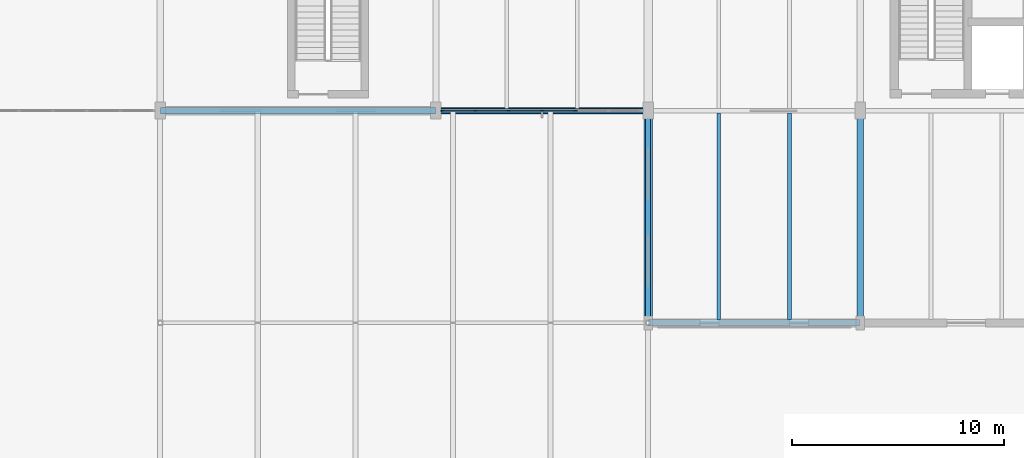
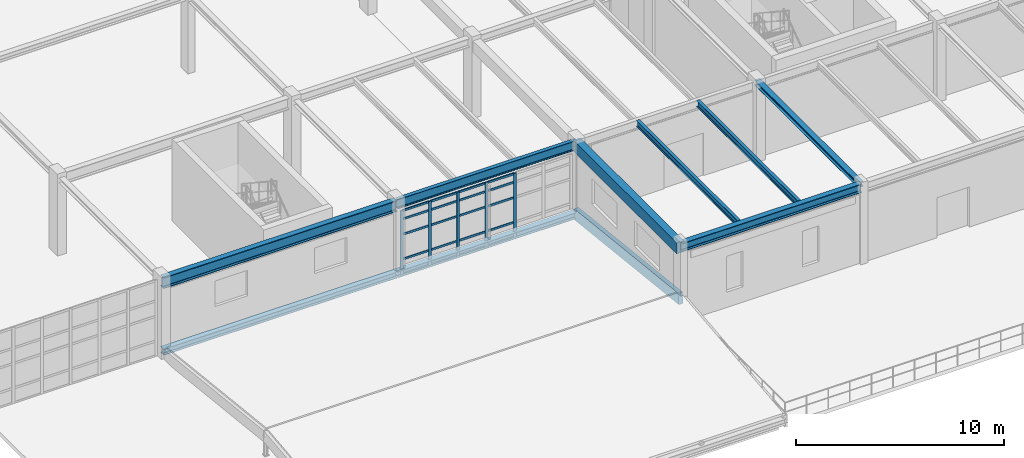
# One storey, part 62 of 139: 26 members, 9 beams, 1 element without a shape of its own.
"""IFC4 building model written with IfcOpenShell, lengths in metres."""

import ifcopenshell
import ifcopenshell.guid

model = None  # the IFC model being written
_history = None  # IfcOwnerHistory: only IFC2X3 demands one
_inside = {}  # id of a spatial element -> (the spatial element, [elements in it])
_under = {}  # id of a project, library or spatial element -> (it, [spatial elements below it])
_declared = {}  # id of a project -> (the project, [libraries it declares])
_typed = {}  # id of a type object -> (the type object, [elements of that type])
_made_of = {}  # id of a material, layer set ... -> (it, [elements and type objects made of it])


def new_model(schema):
    """Start an empty IFC model of exactly this schema.

    Asked for "IFC4X3", IfcOpenShell would pick the latest addendum, in which some entities
    have other attributes; the version numbers below select the first issue.
    IFC2X3 requires an IfcOwnerHistory on every rooted entity: one is made here for all.
    """
    global model, _history
    if schema == "IFC4X3":
        model = ifcopenshell.file(schema_version=(4, 3, 0, 0))
    else:
        model = ifcopenshell.file(schema=schema)
    _inside.clear()
    _under.clear()
    _declared.clear()
    _typed.clear()
    _made_of.clear()
    _history = None
    if model.schema == "IFC2X3":
        org = make("IfcOrganization", Name="unknown")
        user = make(
            "IfcPersonAndOrganization",
            ThePerson=make("IfcPerson", FamilyName="unknown"),
            TheOrganization=org,
        )
        app = make(
            "IfcApplication",
            ApplicationDeveloper=org,
            Version="unknown",
            ApplicationFullName="unknown",
            ApplicationIdentifier="unknown",
        )
        _history = make(
            "IfcOwnerHistory",
            OwningUser=user,
            OwningApplication=app,
            ChangeAction="ADDED",
            CreationDate=0,
        )
    return model


def make(cls, **values):
    """One entity of the class cls with the attributes given. An attribute that is None is left unset."""
    return model.create_entity(
        cls, **{name: value for name, value in values.items() if value is not None}
    )


def rooted(cls, **values):
    """An entity with a GlobalId (a new one), such as an element, a storey or a relation."""
    return make(cls, GlobalId=ifcopenshell.guid.new(), OwnerHistory=_history, **values)


def si_unit(unit_type, name, prefix=None):
    """IfcSIUnit, for example si_unit("LENGTHUNIT", "METRE", prefix="MILLI")."""
    return make("IfcSIUnit", UnitType=unit_type, Prefix=prefix, Name=name)


def assignment(units):
    """IfcUnitAssignment: the units of a project."""
    return None if units is None else make("IfcUnitAssignment", Units=units)


def point(xyz):
    """IfcCartesianPoint."""
    return None if xyz is None else make("IfcCartesianPoint", Coordinates=xyz)


def direction(xyz):
    """IfcDirection."""
    return None if xyz is None else make("IfcDirection", DirectionRatios=xyz)


def frame(location, z_axis=None, x_axis=None):
    """IfcAxis2Placement3D, a coordinate frame: its origin and axes. An axis left out is left unset."""
    return make(
        "IfcAxis2Placement3D",
        Location=point(location),
        Axis=direction(z_axis),
        RefDirection=direction(x_axis),
    )


def frame_2d(location, x_axis=None):
    """IfcAxis2Placement2D, a coordinate frame in the plane: its origin and x axis."""
    return make(
        "IfcAxis2Placement2D", Location=point(location), RefDirection=direction(x_axis)
    )


def origin():
    """The frame at (0, 0, 0) with its axes left unset."""
    return frame((0.0, 0.0, 0.0))


def origin_2d():
    """The frame at (0, 0) in the plane with its x axis left unset."""
    return frame_2d((0.0, 0.0))


def place(relative_to, where):
    """IfcLocalPlacement: puts the frame where relative to a parent placement (None: the world)."""
    return make(
        "IfcLocalPlacement", PlacementRelTo=relative_to, RelativePlacement=where
    )


def context(
    kind, dimensions, precision=None, world=None, true_north=None, identifier=None
):
    """IfcGeometricRepresentationContext, for example the 3D "Model" context."""
    return make(
        "IfcGeometricRepresentationContext",
        ContextIdentifier=identifier,
        ContextType=kind,
        CoordinateSpaceDimension=dimensions,
        Precision=precision,
        WorldCoordinateSystem=world,
        TrueNorth=true_north,
    )


def subcontext(parent, identifier, kind, view, scale=None):
    """IfcGeometricRepresentationSubContext, for example "Body" below "Model"."""
    return make(
        "IfcGeometricRepresentationSubContext",
        ContextIdentifier=identifier,
        ContextType=kind,
        ParentContext=parent,
        TargetScale=scale,
        TargetView=view,
    )


def project(units=None, contexts=None):
    """IfcProject with its units and contexts."""
    return rooted(
        "IfcProject",
        Name="project",
        RepresentationContexts=contexts,
        UnitsInContext=assignment(units),
    )


def spatial(cls, under=None, at=None, **own):
    """A site, building, storey or space (cls), placed at a placement, below another one or the project."""
    s = rooted(cls, ObjectPlacement=at, **own)
    if under is not None:
        _under.setdefault(under.id(), (under, []))[1].append(s)
    return s


def profile(cls, at=None, kind="AREA", **sizes):
    """A parametric profile (cls). Its sizes go by their IFC names, for example OverallWidth=200.0."""
    return make(cls, ProfileType=kind, Position=at, **sizes)


def rectangle(**sizes):
    """IfcRectangleProfileDef."""
    return profile("IfcRectangleProfileDef", **sizes)


def i_section(**sizes):
    """IfcIShapeProfileDef."""
    return profile("IfcIShapeProfileDef", **sizes)


def extrude(swept, where, along, depth):
    """IfcExtrudedAreaSolid: the profile swept, set in the frame where, extruded along a direction by depth."""
    return make(
        "IfcExtrudedAreaSolid",
        SweptArea=swept,
        Position=where,
        ExtrudedDirection=direction(along),
        Depth=depth,
    )


def shape(context_of_items, identifier, shape_type, items):
    """IfcShapeRepresentation: the items that make up one representation, for example the "Body"."""
    return make(
        "IfcShapeRepresentation",
        ContextOfItems=context_of_items,
        RepresentationIdentifier=identifier,
        RepresentationType=shape_type,
        Items=items,
    )


def material(Name=None, Category=None):
    """IfcMaterial."""
    return make("IfcMaterial", Name=Name, Category=Category)


def layer(
    of_material, thickness, ventilated=None, Name=None, Category=None, Priority=None
):
    """IfcMaterialLayer: one layer of a wall or slab, of a material (None: an air gap)."""
    return make(
        "IfcMaterialLayer",
        Material=of_material,
        LayerThickness=thickness,
        IsVentilated=ventilated,
        Name=Name,
        Category=Category,
        Priority=Priority,
    )


def layer_set(layers, Name=None):
    """IfcMaterialLayerSet."""
    return make("IfcMaterialLayerSet", MaterialLayers=layers, LayerSetName=Name)


def material_profile(
    of_material, cross_section, Name=None, Category=None, Priority=None
):
    """IfcMaterialProfile: a cross section and its material."""
    return make(
        "IfcMaterialProfile",
        Name=Name,
        Material=of_material,
        Profile=cross_section,
        Priority=Priority,
        Category=Category,
    )


def profile_set(profiles, Name=None, composite=None):
    """IfcMaterialProfileSet."""
    return make(
        "IfcMaterialProfileSet",
        Name=Name,
        MaterialProfiles=profiles,
        CompositeProfile=composite,
    )


def made_of(thing, what):
    """Note that an element or type object is made of a material, layer set ...; save() writes the relation."""
    if what is not None:
        _made_of.setdefault(what.id(), (what, []))[1].append(thing)
    return thing


def type_object(cls, material=None, **own):
    """A type object (cls), such as IfcWallType, which elements share."""
    return made_of(rooted(cls, **own), material)


def element(
    cls,
    number,
    at=None,
    inside=None,
    cuts=None,
    type_object=None,
    material=None,
    context=None,
    identifier="Body",
    shape_type=None,
    held_by="IfcProductDefinitionShape",
    body=None,
    shapes=None,
    **own,
):
    """One element of the class cls, such as IfcWall. Its Tag is "e" and its number.

    at: its placement. inside: the storey or other place that contains it. cuts: it is an
    opening in that element (IfcRelVoidsElement). A single representation is given by context,
    identifier, shape_type and body (its items); several are given by shapes. held_by: the class
    of the entity that holds the representations. save() writes the other relations.
    """
    e = rooted(cls, Tag="e%d" % number, ObjectPlacement=at, **own)
    if body is not None:
        shapes = [shape(context, identifier, shape_type, body)]
    if shapes is not None:
        e.Representation = make(held_by, Representations=shapes)
    if inside is not None:
        _inside.setdefault(inside.id(), (inside, []))[1].append(e)
    if cuts is not None:
        rooted(
            "IfcRelVoidsElement", RelatingBuildingElement=cuts, RelatedOpeningElement=e
        )
    if type_object is not None:
        _typed.setdefault(type_object.id(), (type_object, []))[1].append(e)
    return made_of(e, material)


def aggregate(whole, parts):
    """IfcRelAggregates: a whole, such as a stair, and the parts it consists of."""
    return rooted("IfcRelAggregates", RelatingObject=whole, RelatedObjects=parts)


def save(model, path):
    """Write the relations noted so far, then the file.

    IfcRelAggregates (storeys below a building ...), IfcRelContainedInSpatialStructure (elements
    in a storey), IfcRelDefinesByType, IfcRelAssociatesMaterial and IfcRelDeclares: one each for
    every whole, place, type object, material and project.
    """
    for whole, parts in _under.values():
        aggregate(whole, parts)
    for where, things in _inside.values():
        rooted(
            "IfcRelContainedInSpatialStructure",
            RelatedElements=things,
            RelatingStructure=where,
        )
    for kind, things in _typed.values():
        rooted("IfcRelDefinesByType", RelatedObjects=things, RelatingType=kind)
    for what, things in _made_of.values():
        rooted("IfcRelAssociatesMaterial", RelatedObjects=things, RelatingMaterial=what)
    for by, libraries in _declared.values():
        rooted("IfcRelDeclares", RelatingContext=by, RelatedDefinitions=libraries)
    model.write(path)


model = new_model("IFC4")

# Units and contexts
model_context = context("Model", 3, precision=1e-05, world=origin(), true_north=direction((0.0, 1.0)))
body_context = subcontext(model_context, "Body", "Model", "MODEL_VIEW")
ifc_project = project(units=[si_unit("LENGTHUNIT", "METRE"), si_unit("AREAUNIT", "SQUARE_METRE"), si_unit("VOLUMEUNIT", "CUBIC_METRE"), si_unit("PLANEANGLEUNIT", "RADIAN"), si_unit("MASSUNIT", "GRAM", prefix="KILO"), si_unit("THERMODYNAMICTEMPERATUREUNIT", "KELVIN"), si_unit("POWERUNIT", "WATT")], contexts=[model_context])

# Site, building, storey
site_placement = place(None, origin())
site = spatial("IfcSite", under=ifc_project, at=site_placement, CompositionType="ELEMENT")
building_placement = place(site_placement, origin())
building = spatial("IfcBuilding", under=site, at=building_placement, Name="Korenveer Ferry Terminal", CompositionType="ELEMENT")
storey_placement = place(building_placement, frame((0.0, 0.0, 5.39990234375)))
storey = spatial("IfcBuildingStorey", under=building, at=storey_placement, Name="L01", CompositionType="ELEMENT", Elevation=5.39990234375)

# Curtain wall, members
ifc_material_1 = material(Name="Unitised bronze-and-glass curtain wall", Category="glass")
ifc_layer = layer(ifc_material_1, 0.159912109375)
ifc_layer_set = layer_set([ifc_layer], Name="Unitised bronze-and-glass curtain wall")
curtain_wall_type = type_object("IfcCurtainWallType", Name="ENV-CW-42", PredefinedType="USERDEFINED", material=ifc_layer_set)
curtain_wall_placement = place(storey_placement, frame((136.280029296875, 20.0, 0.0)))
curtain_wall = element("IfcCurtainWall", 1, at=curtain_wall_placement, inside=storey, type_object=curtain_wall_type, Name="Lancet curtain wall CWX-L01-X136-146-Y20-20", ObjectType="UNITISED CURTAIN WALL", PredefinedType="USERDEFINED")
ifc_material_2 = material(Name="Anodised bronze aluminium", Category="aluminium")
ifc_material_profile_1 = material_profile(ifc_material_2, rectangle(XDim=0.06005859375, YDim=0.159912109375, at=origin_2d()), Name="ALU 60x160")
ifc_profile_set_1 = profile_set([ifc_material_profile_1], Name="Anodised bronze aluminium")
member_type_1 = type_object("IfcMemberType", Name="ENV-CWM-60X160", PredefinedType="MULLION", material=ifc_profile_set_1)
member_1_placement = place(storey_placement, frame((136.31005859375, 20.0, 0.0), z_axis=(0.0, 0.0, 1.0), x_axis=(0.0, 1.0, 0.0)))
member_1 = element("IfcMember", 2, at=member_1_placement, type_object=member_type_1, Name="CW-42 mullion 1", PredefinedType="MULLION", context=body_context, shape_type="SweptSolid", body=[
    extrude(rectangle(XDim=0.06005859375, YDim=0.159912109375, at=origin_2d()), origin(), (0.0, 0.0, 1.0), 3.77001953125),
])
member_2_placement = place(storey_placement, frame((137.853271484375, 20.0, 0.0), z_axis=(0.0, 0.0, 1.0), x_axis=(0.0, 1.0, 0.0)))
member_2 = element("IfcMember", 3, at=member_2_placement, type_object=member_type_1, Name="CW-42 mullion 2", PredefinedType="MULLION", context=body_context, shape_type="SweptSolid", body=[
    extrude(rectangle(XDim=0.06005859375, YDim=0.159912109375, at=origin_2d()), origin(), (0.0, 0.0, 1.0), 3.77001953125),
])
member_3_placement = place(storey_placement, frame((139.4267578125, 20.0, 0.0), z_axis=(0.0, 0.0, 1.0), x_axis=(0.0, 1.0, 0.0)))
member_3 = element("IfcMember", 4, at=member_3_placement, type_object=member_type_1, Name="CW-42 mullion 3", PredefinedType="MULLION", context=body_context, shape_type="SweptSolid", body=[
    extrude(rectangle(XDim=0.06005859375, YDim=0.159912109375, at=origin_2d()), origin(), (0.0, 0.0, 1.0), 3.77001953125),
])
member_4_placement = place(storey_placement, frame((141.0, 20.0, 0.0), z_axis=(0.0, 0.0, 1.0), x_axis=(0.0, 1.0, 0.0)))
member_4 = element("IfcMember", 5, at=member_4_placement, type_object=member_type_1, Name="CW-42 mullion 4", PredefinedType="MULLION", context=body_context, shape_type="SweptSolid", body=[
    extrude(rectangle(XDim=0.06005859375, YDim=0.159912109375, at=origin_2d()), origin(), (0.0, 0.0, 1.0), 3.77001953125),
])
member_5_placement = place(storey_placement, frame((142.5732421875, 20.0, 0.0), z_axis=(0.0, 0.0, 1.0), x_axis=(0.0, 1.0, 0.0)))
member_5 = element("IfcMember", 6, at=member_5_placement, type_object=member_type_1, Name="CW-42 mullion 5", PredefinedType="MULLION", context=body_context, shape_type="SweptSolid", body=[
    extrude(rectangle(XDim=0.06005859375, YDim=0.159912109375, at=origin_2d()), origin(), (0.0, 0.0, 1.0), 3.77001953125),
])
ifc_material_profile_2 = material_profile(ifc_material_2, rectangle(XDim=0.06005859375, YDim=0.1201171875, at=origin_2d()), Name="ALU 60x120")
ifc_profile_set_2 = profile_set([ifc_material_profile_2], Name="Anodised bronze aluminium")
member_type_2 = type_object("IfcMemberType", Name="ENV-CWT-60X120", PredefinedType="USERDEFINED", material=ifc_profile_set_2)
member_6_placement = place(storey_placement, frame((136.340087890625, 20.0, 0.030029296875), z_axis=(1.0, 0.0, 0.0), x_axis=(0.0, 1.0, 0.0)))
member_6 = element("IfcMember", 7, at=member_6_placement, type_object=member_type_2, Name="CW-42 transom 1.1", ObjectType="TRANSOM", PredefinedType="USERDEFINED", context=body_context, shape_type="SweptSolid", body=[
    extrude(rectangle(XDim=0.06005859375, YDim=0.1201171875, at=origin_2d()), origin(), (0.0, 0.0, 1.0), 1.483154296875),
])
member_7_placement = place(storey_placement, frame((136.340087890625, 20.0, 0.900146484375), z_axis=(1.0, 0.0, 0.0), x_axis=(0.0, 1.0, 0.0)))
member_7 = element("IfcMember", 8, at=member_7_placement, type_object=member_type_2, Name="CW-42 transom 1.2", ObjectType="TRANSOM", PredefinedType="USERDEFINED", context=body_context, shape_type="SweptSolid", body=[
    extrude(rectangle(XDim=0.06005859375, YDim=0.1201171875, at=origin_2d()), origin(), (0.0, 0.0, 1.0), 1.483154296875),
])
member_8_placement = place(storey_placement, frame((136.340087890625, 20.0, 2.35009765625), z_axis=(1.0, 0.0, 0.0), x_axis=(0.0, 1.0, 0.0)))
member_8 = element("IfcMember", 9, at=member_8_placement, type_object=member_type_2, Name="CW-42 transom 1.3", ObjectType="TRANSOM", PredefinedType="USERDEFINED", context=body_context, shape_type="SweptSolid", body=[
    extrude(rectangle(XDim=0.06005859375, YDim=0.1201171875, at=origin_2d()), origin(), (0.0, 0.0, 1.0), 1.483154296875),
])
member_9_placement = place(storey_placement, frame((136.340087890625, 20.0, 3.25), z_axis=(1.0, 0.0, 0.0), x_axis=(0.0, 1.0, 0.0)))
member_9 = element("IfcMember", 10, at=member_9_placement, type_object=member_type_2, Name="CW-42 transom 1.4", ObjectType="TRANSOM", PredefinedType="USERDEFINED", context=body_context, shape_type="SweptSolid", body=[
    extrude(rectangle(XDim=0.06005859375, YDim=0.1201171875, at=origin_2d()), origin(), (0.0, 0.0, 1.0), 1.483154296875),
])
member_10_placement = place(storey_placement, frame((136.340087890625, 20.0, 3.739990234375), z_axis=(1.0, 0.0, 0.0), x_axis=(0.0, 1.0, 0.0)))
member_10 = element("IfcMember", 11, at=member_10_placement, type_object=member_type_2, Name="CW-42 transom 1.5", ObjectType="TRANSOM", PredefinedType="USERDEFINED", context=body_context, shape_type="SweptSolid", body=[
    extrude(rectangle(XDim=0.06005859375, YDim=0.1201171875, at=origin_2d()), origin(), (0.0, 0.0, 1.0), 1.483154296875),
])
member_11_placement = place(storey_placement, frame((137.88330078125, 20.0, 0.030029296875), z_axis=(1.0, 0.0, 0.0), x_axis=(0.0, 1.0, 0.0)))
member_11 = element("IfcMember", 12, at=member_11_placement, type_object=member_type_2, Name="CW-42 transom 2.1", ObjectType="TRANSOM", PredefinedType="USERDEFINED", context=body_context, shape_type="SweptSolid", body=[
    extrude(rectangle(XDim=0.06005859375, YDim=0.1201171875, at=origin_2d()), origin(), (0.0, 0.0, 1.0), 1.513427734375),
])
member_12_placement = place(storey_placement, frame((137.88330078125, 20.0, 0.900146484375), z_axis=(1.0, 0.0, 0.0), x_axis=(0.0, 1.0, 0.0)))
member_12 = element("IfcMember", 13, at=member_12_placement, type_object=member_type_2, Name="CW-42 transom 2.2", ObjectType="TRANSOM", PredefinedType="USERDEFINED", context=body_context, shape_type="SweptSolid", body=[
    extrude(rectangle(XDim=0.06005859375, YDim=0.1201171875, at=origin_2d()), origin(), (0.0, 0.0, 1.0), 1.513427734375),
])
member_13_placement = place(storey_placement, frame((137.88330078125, 20.0, 2.35009765625), z_axis=(1.0, 0.0, 0.0), x_axis=(0.0, 1.0, 0.0)))
member_13 = element("IfcMember", 14, at=member_13_placement, type_object=member_type_2, Name="CW-42 transom 2.3", ObjectType="TRANSOM", PredefinedType="USERDEFINED", context=body_context, shape_type="SweptSolid", body=[
    extrude(rectangle(XDim=0.06005859375, YDim=0.1201171875, at=origin_2d()), origin(), (0.0, 0.0, 1.0), 1.513427734375),
])
member_14_placement = place(storey_placement, frame((137.88330078125, 20.0, 3.25), z_axis=(1.0, 0.0, 0.0), x_axis=(0.0, 1.0, 0.0)))
member_14 = element("IfcMember", 15, at=member_14_placement, type_object=member_type_2, Name="CW-42 transom 2.4", ObjectType="TRANSOM", PredefinedType="USERDEFINED", context=body_context, shape_type="SweptSolid", body=[
    extrude(rectangle(XDim=0.06005859375, YDim=0.1201171875, at=origin_2d()), origin(), (0.0, 0.0, 1.0), 1.513427734375),
])
member_15_placement = place(storey_placement, frame((137.88330078125, 20.0, 3.739990234375), z_axis=(1.0, 0.0, 0.0), x_axis=(0.0, 1.0, 0.0)))
member_15 = element("IfcMember", 16, at=member_15_placement, type_object=member_type_2, Name="CW-42 transom 2.5", ObjectType="TRANSOM", PredefinedType="USERDEFINED", context=body_context, shape_type="SweptSolid", body=[
    extrude(rectangle(XDim=0.06005859375, YDim=0.1201171875, at=origin_2d()), origin(), (0.0, 0.0, 1.0), 1.513427734375),
])
member_16_placement = place(storey_placement, frame((139.456787109375, 20.0, 0.030029296875), z_axis=(1.0, 0.0, 0.0), x_axis=(0.0, 1.0, 0.0)))
member_16 = element("IfcMember", 17, at=member_16_placement, type_object=member_type_2, Name="CW-42 transom 3.1", ObjectType="TRANSOM", PredefinedType="USERDEFINED", context=body_context, shape_type="SweptSolid", body=[
    extrude(rectangle(XDim=0.06005859375, YDim=0.1201171875, at=origin_2d()), origin(), (0.0, 0.0, 1.0), 1.51318359375),
])
member_17_placement = place(storey_placement, frame((139.456787109375, 20.0, 0.900146484375), z_axis=(1.0, 0.0, 0.0), x_axis=(0.0, 1.0, 0.0)))
member_17 = element("IfcMember", 18, at=member_17_placement, type_object=member_type_2, Name="CW-42 transom 3.2", ObjectType="TRANSOM", PredefinedType="USERDEFINED", context=body_context, shape_type="SweptSolid", body=[
    extrude(rectangle(XDim=0.06005859375, YDim=0.1201171875, at=origin_2d()), origin(), (0.0, 0.0, 1.0), 1.51318359375),
])
member_18_placement = place(storey_placement, frame((139.456787109375, 20.0, 2.35009765625), z_axis=(1.0, 0.0, 0.0), x_axis=(0.0, 1.0, 0.0)))
member_18 = element("IfcMember", 19, at=member_18_placement, type_object=member_type_2, Name="CW-42 transom 3.3", ObjectType="TRANSOM", PredefinedType="USERDEFINED", context=body_context, shape_type="SweptSolid", body=[
    extrude(rectangle(XDim=0.06005859375, YDim=0.1201171875, at=origin_2d()), origin(), (0.0, 0.0, 1.0), 1.51318359375),
])
member_19_placement = place(storey_placement, frame((139.456787109375, 20.0, 3.25), z_axis=(1.0, 0.0, 0.0), x_axis=(0.0, 1.0, 0.0)))
member_19 = element("IfcMember", 20, at=member_19_placement, type_object=member_type_2, Name="CW-42 transom 3.4", ObjectType="TRANSOM", PredefinedType="USERDEFINED", context=body_context, shape_type="SweptSolid", body=[
    extrude(rectangle(XDim=0.06005859375, YDim=0.1201171875, at=origin_2d()), origin(), (0.0, 0.0, 1.0), 1.51318359375),
])
member_20_placement = place(storey_placement, frame((139.456787109375, 20.0, 3.739990234375), z_axis=(1.0, 0.0, 0.0), x_axis=(0.0, 1.0, 0.0)))
member_20 = element("IfcMember", 21, at=member_20_placement, type_object=member_type_2, Name="CW-42 transom 3.5", ObjectType="TRANSOM", PredefinedType="USERDEFINED", context=body_context, shape_type="SweptSolid", body=[
    extrude(rectangle(XDim=0.06005859375, YDim=0.1201171875, at=origin_2d()), origin(), (0.0, 0.0, 1.0), 1.51318359375),
])
member_21_placement = place(storey_placement, frame((141.030029296875, 20.0, 0.030029296875), z_axis=(1.0, 0.0, 0.0), x_axis=(0.0, 1.0, 0.0)))
member_21 = element("IfcMember", 22, at=member_21_placement, type_object=member_type_2, Name="CW-42 transom 4.1", ObjectType="TRANSOM", PredefinedType="USERDEFINED", context=body_context, shape_type="SweptSolid", body=[
    extrude(rectangle(XDim=0.06005859375, YDim=0.1201171875, at=origin_2d()), origin(), (0.0, 0.0, 1.0), 1.51318359375),
])
member_22_placement = place(storey_placement, frame((141.030029296875, 20.0, 0.900146484375), z_axis=(1.0, 0.0, 0.0), x_axis=(0.0, 1.0, 0.0)))
member_22 = element("IfcMember", 23, at=member_22_placement, type_object=member_type_2, Name="CW-42 transom 4.2", ObjectType="TRANSOM", PredefinedType="USERDEFINED", context=body_context, shape_type="SweptSolid", body=[
    extrude(rectangle(XDim=0.06005859375, YDim=0.1201171875, at=origin_2d()), origin(), (0.0, 0.0, 1.0), 1.51318359375),
])
member_23_placement = place(storey_placement, frame((141.030029296875, 20.0, 2.35009765625), z_axis=(1.0, 0.0, 0.0), x_axis=(0.0, 1.0, 0.0)))
member_23 = element("IfcMember", 24, at=member_23_placement, type_object=member_type_2, Name="CW-42 transom 4.3", ObjectType="TRANSOM", PredefinedType="USERDEFINED", context=body_context, shape_type="SweptSolid", body=[
    extrude(rectangle(XDim=0.06005859375, YDim=0.1201171875, at=origin_2d()), origin(), (0.0, 0.0, 1.0), 1.51318359375),
])
member_24_placement = place(storey_placement, frame((141.030029296875, 20.0, 3.25), z_axis=(1.0, 0.0, 0.0), x_axis=(0.0, 1.0, 0.0)))
member_24 = element("IfcMember", 25, at=member_24_placement, type_object=member_type_2, Name="CW-42 transom 4.4", ObjectType="TRANSOM", PredefinedType="USERDEFINED", context=body_context, shape_type="SweptSolid", body=[
    extrude(rectangle(XDim=0.06005859375, YDim=0.1201171875, at=origin_2d()), origin(), (0.0, 0.0, 1.0), 1.51318359375),
])
member_25_placement = place(storey_placement, frame((141.030029296875, 20.0, 3.739990234375), z_axis=(1.0, 0.0, 0.0), x_axis=(0.0, 1.0, 0.0)))
member_25 = element("IfcMember", 26, at=member_25_placement, type_object=member_type_2, Name="CW-42 transom 4.5", ObjectType="TRANSOM", PredefinedType="USERDEFINED", context=body_context, shape_type="SweptSolid", body=[
    extrude(rectangle(XDim=0.06005859375, YDim=0.1201171875, at=origin_2d()), origin(), (0.0, 0.0, 1.0), 1.51318359375),
])
aggregate(curtain_wall, [member_1, member_2, member_3, member_4, member_5, member_6, member_7, member_8, member_9, member_10, member_11, member_12, member_13, member_14, member_15, member_16, member_17, member_18, member_19, member_20, member_21, member_22, member_23, member_24, member_25])

# Beams
ifc_material_3 = material(Name="Steel S355", Category="steel")
ifc_material_profile_3 = material_profile(ifc_material_3, i_section(OverallWidth=0.300048828125, OverallDepth=0.2900390625, WebThickness=0.008544921875, FlangeThickness=0.013916015625, FilletRadius=0.027099609375, at=origin_2d()), Name="HEA 300")
ifc_profile_set_3 = profile_set([ifc_material_profile_3], Name="Steel S355")
beam_type_1 = type_object("IfcBeamType", Name="STR-BM-HEA300", PredefinedType="BEAM", material=ifc_profile_set_3)
beam_1_placement = place(storey_placement, frame((156.0, 10.02001953125, 4.43505859375), z_axis=(0.0, 1.0, 0.0), x_axis=(-1.0, 0.0, 0.0)))
element("IfcBeam", 27, at=beam_1_placement, inside=storey, type_object=beam_type_1, Name="Primary Y girder BMY-L02-X156-Y10-20", PredefinedType="BEAM", context=body_context, shape_type="SweptSolid", body=[
    extrude(i_section(OverallWidth=0.300048828125, OverallDepth=0.2900390625, WebThickness=0.008544921875, FlangeThickness=0.013916015625, FilletRadius=0.027099609375, at=origin_2d()), origin(), (0.0, 0.0, 1.0), 9.9599609375),
])
ifc_material_profile_4 = material_profile(ifc_material_3, i_section(OverallWidth=0.300048828125, OverallDepth=0.360107421875, WebThickness=0.012451171875, FlangeThickness=0.0224609375, FilletRadius=0.027099609375, at=origin_2d()), Name="HEB 360")
ifc_profile_set_4 = profile_set([ifc_material_profile_4], Name="Steel S355")
beam_type_2 = type_object("IfcBeamType", Name="STR-BM-HEB360", PredefinedType="BEAM", material=ifc_profile_set_4)
beam_2_placement = place(storey_placement, frame((123.02001953125, 20.0, 0.18017578125), z_axis=(1.0, 0.0, 0.0), x_axis=(0.0, 1.0, 0.0)))
element("IfcBeam", 28, at=beam_2_placement, inside=storey, type_object=beam_type_2, Name="Canopy eave beam FCE 20 123", PredefinedType="BEAM", context=body_context, shape_type="SweptSolid", body=[
    extrude(i_section(OverallWidth=0.300048828125, OverallDepth=0.360107421875, WebThickness=0.012451171875, FlangeThickness=0.0224609375, FilletRadius=0.027099609375, at=origin_2d()), origin(), (0.0, 0.0, 1.0), 12.9599609375),
])
beam_3_placement = place(storey_placement, frame((136.02001953125, 20.0, 0.18017578125), z_axis=(1.0, 0.0, 0.0), x_axis=(0.0, 1.0, 0.0)))
element("IfcBeam", 29, at=beam_3_placement, inside=storey, type_object=beam_type_2, Name="Canopy eave beam FCE 20 136", PredefinedType="BEAM", context=body_context, shape_type="SweptSolid", body=[
    extrude(i_section(OverallWidth=0.300048828125, OverallDepth=0.360107421875, WebThickness=0.012451171875, FlangeThickness=0.0224609375, FilletRadius=0.027099609375, at=origin_2d()), origin(), (0.0, 0.0, 1.0), 9.9599609375),
])
ifc_material_profile_5 = material_profile(ifc_material_3, i_section(OverallWidth=0.300048828125, OverallDepth=0.5, WebThickness=0.014404296875, FlangeThickness=0.028076171875, FilletRadius=0.027099609375, at=origin_2d()), Name="HEB 500")
ifc_profile_set_5 = profile_set([ifc_material_profile_5], Name="Steel S355")
beam_type_3 = type_object("IfcBeamType", Name="STR-BM-HEB500", PredefinedType="BEAM", material=ifc_profile_set_5)
beam_4_placement = place(storey_placement, frame((146.02001953125, 10.0, 4.330078125), z_axis=(1.0, 0.0, 0.0), x_axis=(0.0, 1.0, 0.0)))
element("IfcBeam", 30, at=beam_4_placement, inside=storey, type_object=beam_type_3, Name="Primary X girder BMX-L02-X146-156-Y10", PredefinedType="BEAM", context=body_context, shape_type="SweptSolid", body=[
    extrude(i_section(OverallWidth=0.300048828125, OverallDepth=0.5, WebThickness=0.014404296875, FlangeThickness=0.028076171875, FilletRadius=0.027099609375, at=origin_2d()), origin(), (0.0, 0.0, 1.0), 9.9599609375),
])
ifc_material_profile_6 = material_profile(ifc_material_3, i_section(OverallWidth=0.300048828125, OverallDepth=0.64990234375, WebThickness=0.01611328125, FlangeThickness=0.031005859375, FilletRadius=0.027099609375, at=origin_2d()), Name="HEB 650")
ifc_profile_set_6 = profile_set([ifc_material_profile_6], Name="Steel S355")
beam_type_4 = type_object("IfcBeamType", Name="STR-BM-HEB650", PredefinedType="BEAM", material=ifc_profile_set_6)
beam_5_placement = place(storey_placement, frame((123.02001953125, 20.0, 4.22509765625), z_axis=(1.0, 0.0, 0.0), x_axis=(0.0, 1.0, 0.0)))
element("IfcBeam", 31, at=beam_5_placement, inside=storey, type_object=beam_type_4, Name="Primary X girder BMX-L02-X123-136-Y20", PredefinedType="BEAM", context=body_context, shape_type="SweptSolid", body=[
    extrude(i_section(OverallWidth=0.300048828125, OverallDepth=0.64990234375, WebThickness=0.01611328125, FlangeThickness=0.031005859375, FilletRadius=0.027099609375, at=origin_2d()), origin(), (0.0, 0.0, 1.0), 12.9599609375),
])
ifc_material_profile_7 = material_profile(ifc_material_3, i_section(OverallWidth=0.2099609375, OverallDepth=0.550048828125, WebThickness=0.010986328125, FlangeThickness=0.01708984375, FilletRadius=0.02392578125, at=origin_2d()), Name="IPE 550")
ifc_profile_set_7 = profile_set([ifc_material_profile_7], Name="Steel S355")
beam_type_5 = type_object("IfcBeamType", Name="STR-BM-IPE550", PredefinedType="BEAM", material=ifc_profile_set_7)
beam_6_placement = place(storey_placement, frame((136.02001953125, 20.0, 4.275146484375), z_axis=(1.0, 0.0, 0.0), x_axis=(0.0, 1.0, 0.0)))
element("IfcBeam", 32, at=beam_6_placement, inside=storey, type_object=beam_type_5, Name="Primary X girder BMX-L02-X136-146-Y20", PredefinedType="BEAM", context=body_context, shape_type="SweptSolid", body=[
    extrude(i_section(OverallWidth=0.2099609375, OverallDepth=0.550048828125, WebThickness=0.010986328125, FlangeThickness=0.01708984375, FilletRadius=0.02392578125, at=origin_2d()), origin(), (0.0, 0.0, 1.0), 9.9599609375),
])
ifc_material_4 = material(Name="Concrete C40/50", Category="concrete")
ifc_material_profile_8 = material_profile(ifc_material_4, rectangle(XDim=0.39990234375, YDim=0.64990234375, at=origin_2d()), Name="RC 400x650")
ifc_profile_set_8 = profile_set([ifc_material_profile_8], Name="Concrete C40/50")
beam_type_6 = type_object("IfcBeamType", Name="STR-BM-RC400X650", PredefinedType="BEAM", material=ifc_profile_set_8)
beam_7_placement = place(storey_placement, frame((146.0, 10.02001953125, 4.255126953125), z_axis=(0.0, 1.0, 0.0), x_axis=(-1.0, 0.0, 0.0)))
element("IfcBeam", 33, at=beam_7_placement, inside=storey, type_object=beam_type_6, Name="Primary Y girder BMY-L02-X146-Y10-20", PredefinedType="BEAM", context=body_context, shape_type="SweptSolid", body=[
    extrude(rectangle(XDim=0.39990234375, YDim=0.64990234375, at=origin_2d()), origin(), (0.0, 0.0, 1.0), 9.9599609375),
])
ifc_material_profile_9 = material_profile(ifc_material_3, i_section(OverallWidth=0.169921875, OverallDepth=0.360107421875, WebThickness=0.008056640625, FlangeThickness=0.0126953125, FilletRadius=0.01806640625, at=origin_2d()), Name="IPE 360")
ifc_profile_set_9 = profile_set([ifc_material_profile_9], Name="Steel S355")
beam_type_7 = type_object("IfcBeamType", Name="STR-JST-IPE360", PredefinedType="JOIST", material=ifc_profile_set_9)
for number, where, z_axis, x_axis, name in (
    (34, (149.333251953125, 10.159912109375, 4.400146484375), (0.0, 1.0, 0.0), (-1.0, 0.0, 0.0), "Secondary composite joist JST-L02-X1493-Y10-20"),
    (35, (152.666748046875, 10.159912109375, 4.400146484375), (0.0, 1.0, 0.0), (-1.0, 0.0, 0.0), "Secondary composite joist JST-L02-X1527-Y10-20"),
):
    element("IfcBeam", number, at=place(storey_placement, frame(where, z_axis=z_axis, x_axis=x_axis)), inside=storey, type_object=beam_type_7, Name=name, PredefinedType="JOIST", context=body_context, shape_type="SweptSolid", body=[
        extrude(i_section(OverallWidth=0.169921875, OverallDepth=0.360107421875, WebThickness=0.008056640625, FlangeThickness=0.0126953125, FilletRadius=0.01806640625, at=origin_2d()), origin(), (0.0, 0.0, 1.0), 9.72509765625),
    ])

# Member
ifc_material_5 = material(Name="Glulam GL28h", Category="wood")
ifc_material_profile_10 = material_profile(ifc_material_5, rectangle(XDim=0.239990234375, YDim=0.639892578125, at=origin_2d()), Name="GL 240x640")
ifc_profile_set_10 = profile_set([ifc_material_profile_10], Name="Glulam GL28h")
member_type_3 = type_object("IfcMemberType", Name="STR-RAF-GL240", PredefinedType="RAFTER", material=ifc_profile_set_10)
member_26_placement = place(storey_placement, frame((146.0, 10.0, 1.280029296875), z_axis=(0.0, 0.994005938353, -0.109326092585), x_axis=(-1.0, 0.0, 0.0)))
element("IfcMember", 36, at=member_26_placement, inside=storey, type_object=member_type_3, Name="Canopy glulam rafter 204", PredefinedType="RAFTER", context=body_context, shape_type="SweptSolid", body=[
    extrude(rectangle(XDim=0.239990234375, YDim=0.639892578125, at=origin_2d()), origin(), (0.0, 0.0, 1.0), 10.060302734375),
])

save(model, "model.ifc")
